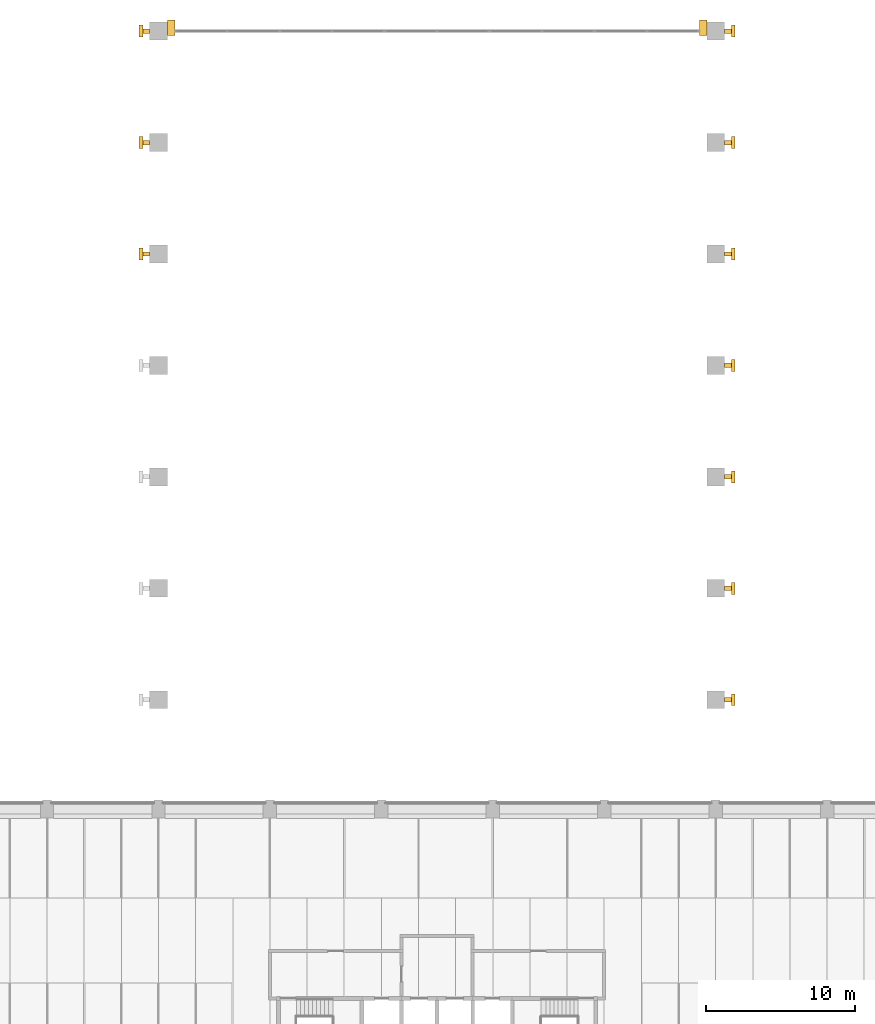
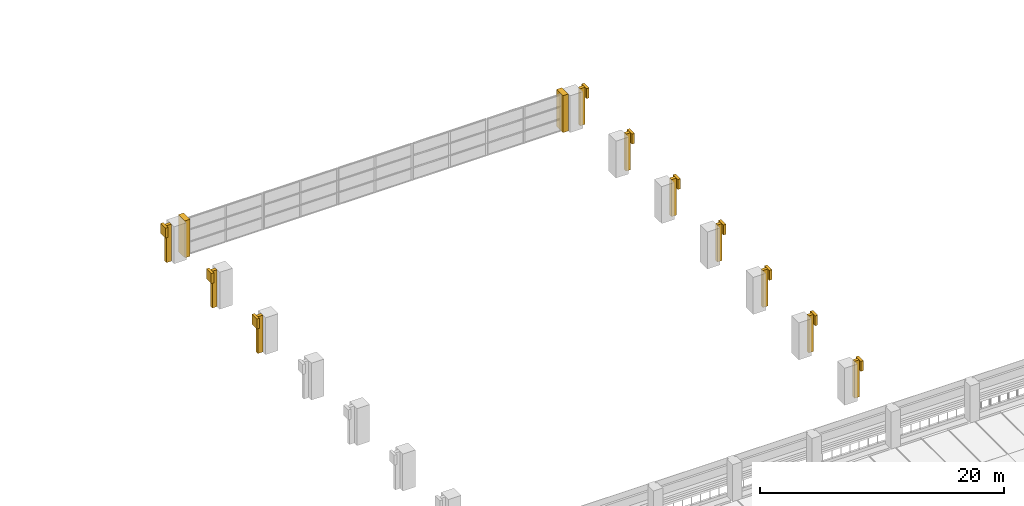
# One storey, part 46 of 57: 22 coverings.
"""IFC4 building model written with IfcOpenShell, lengths in metres."""

from ifc_helpers import new_model, si_unit, direction, frame, origin, place, context, subcontext, project, spatial, polyline, outline, extrude, material, layer, layer_set, type_object, element, save


model = new_model("IFC4")

# Units and contexts
model_context = context("Model", 3, precision=1e-05, world=origin(), true_north=direction((0.0, 1.0)))
body_context = subcontext(model_context, "Body", "Model", "MODEL_VIEW")
ifc_project = project(units=[si_unit("LENGTHUNIT", "METRE"), si_unit("AREAUNIT", "SQUARE_METRE"), si_unit("VOLUMEUNIT", "CUBIC_METRE"), si_unit("PLANEANGLEUNIT", "RADIAN"), si_unit("MASSUNIT", "GRAM", prefix="KILO")], contexts=[model_context])

# Site, building, storey
site_placement = place(None, origin())
site = spatial("IfcSite", under=ifc_project, at=site_placement, CompositionType="ELEMENT")
building_placement = place(site_placement, origin())
building = spatial("IfcBuilding", under=site, at=building_placement, Name="Cour d'Honneur Mobility Palace", CompositionType="ELEMENT")
storey_placement = place(building_placement, frame((0.0, 0.0, 8.199951171875)))
storey = spatial("IfcBuildingStorey", under=building, at=storey_placement, Name="L02", CompositionType="ELEMENT", Elevation=8.199951171875)

# Coverings
ifc_material_1 = material(Name="Cast limestone", Category="masonry")
ifc_layer_1 = layer(ifc_material_1, 0.300048828125)
ifc_layer_set_1 = layer_set([ifc_layer_1], Name="Cast limestone")
covering_type_1 = type_object("IfcCoveringType", Name="Pier fin", PredefinedType="CLADDING", material=ifc_layer_set_1)
covering_1_placement = place(storey_placement, origin())
element("IfcCovering", 1, at=covering_1_placement, inside=storey, type_object=covering_type_1, Name="Pier fin HP-E2 L02", PredefinedType="CLADDING", context=body_context, shape_type="SweptSolid", body=[
    extrude(outline(polyline([(100.5, 69.75), (100.949951171875, 69.75), (100.949951171875, 70.050048828125), (100.5, 70.050048828125), (100.5, 69.75)])), origin(), (0.0, 0.0, 1.0), 3.699951171875),
])
covering_2_placement = place(storey_placement, origin())
element("IfcCovering", 2, at=covering_2_placement, inside=storey, type_object=covering_type_1, Name="Pier fin HP-E3 L02", PredefinedType="CLADDING", context=body_context, shape_type="SweptSolid", body=[
    extrude(outline(polyline([(100.5, 77.25), (100.949951171875, 77.25), (100.949951171875, 77.550048828125), (100.5, 77.550048828125), (100.5, 77.25)])), origin(), (0.0, 0.0, 1.0), 3.699951171875),
])
covering_3_placement = place(storey_placement, origin())
element("IfcCovering", 3, at=covering_3_placement, inside=storey, type_object=covering_type_1, Name="Pier fin HP-E4 L02", PredefinedType="CLADDING", context=body_context, shape_type="SweptSolid", body=[
    extrude(outline(polyline([(100.5, 84.75), (100.949951171875, 84.75), (100.949951171875, 85.050048828125), (100.5, 85.050048828125), (100.5, 84.75)])), origin(), (0.0, 0.0, 1.0), 3.699951171875),
])
covering_4_placement = place(storey_placement, origin())
element("IfcCovering", 4, at=covering_4_placement, inside=storey, type_object=covering_type_1, Name="Pier fin HP-E5 L02", PredefinedType="CLADDING", context=body_context, shape_type="SweptSolid", body=[
    extrude(outline(polyline([(100.5, 92.25), (100.949951171875, 92.25), (100.949951171875, 92.550048828125), (100.5, 92.550048828125), (100.5, 92.25)])), origin(), (0.0, 0.0, 1.0), 3.699951171875),
])
covering_5_placement = place(storey_placement, origin())
element("IfcCovering", 5, at=covering_5_placement, inside=storey, type_object=covering_type_1, Name="Pier fin HP-W6 L02", PredefinedType="CLADDING", context=body_context, shape_type="SweptSolid", body=[
    extrude(outline(polyline([(61.35009765625, 99.75), (61.800048828125, 99.75), (61.800048828125, 100.050048828125), (61.35009765625, 100.050048828125), (61.35009765625, 99.75)])), origin(), (0.0, 0.0, 1.0), 3.699951171875),
])
covering_6_placement = place(storey_placement, origin())
element("IfcCovering", 6, at=covering_6_placement, inside=storey, type_object=covering_type_1, Name="Pier fin HP-E6 L02", PredefinedType="CLADDING", context=body_context, shape_type="SweptSolid", body=[
    extrude(outline(polyline([(100.5, 99.75), (100.949951171875, 99.75), (100.949951171875, 100.050048828125), (100.5, 100.050048828125), (100.5, 99.75)])), origin(), (0.0, 0.0, 1.0), 3.699951171875),
])
covering_7_placement = place(storey_placement, origin())
element("IfcCovering", 7, at=covering_7_placement, inside=storey, type_object=covering_type_1, Name="Pier fin HP-W7 L02", PredefinedType="CLADDING", context=body_context, shape_type="SweptSolid", body=[
    extrude(outline(polyline([(61.35009765625, 107.25), (61.800048828125, 107.25), (61.800048828125, 107.550048828125), (61.35009765625, 107.550048828125), (61.35009765625, 107.25)])), origin(), (0.0, 0.0, 1.0), 3.699951171875),
])
covering_8_placement = place(storey_placement, origin())
element("IfcCovering", 8, at=covering_8_placement, inside=storey, type_object=covering_type_1, Name="Pier fin HP-E7 L02", PredefinedType="CLADDING", context=body_context, shape_type="SweptSolid", body=[
    extrude(outline(polyline([(100.5, 107.25), (100.949951171875, 107.25), (100.949951171875, 107.550048828125), (100.5, 107.550048828125), (100.5, 107.25)])), origin(), (0.0, 0.0, 1.0), 3.699951171875),
])
covering_9_placement = place(storey_placement, origin())
element("IfcCovering", 9, at=covering_9_placement, inside=storey, type_object=covering_type_1, Name="Pier fin HP-W8 L02", PredefinedType="CLADDING", context=body_context, shape_type="SweptSolid", body=[
    extrude(outline(polyline([(61.35009765625, 114.75), (61.800048828125, 114.75), (61.800048828125, 115.050048828125), (61.35009765625, 115.050048828125), (61.35009765625, 114.75)])), origin(), (0.0, 0.0, 1.0), 3.699951171875),
])
covering_10_placement = place(storey_placement, origin())
element("IfcCovering", 10, at=covering_10_placement, inside=storey, type_object=covering_type_1, Name="Pier fin HP-E8 L02", PredefinedType="CLADDING", context=body_context, shape_type="SweptSolid", body=[
    extrude(outline(polyline([(100.5, 114.75), (100.949951171875, 114.75), (100.949951171875, 115.050048828125), (100.5, 115.050048828125), (100.5, 114.75)])), origin(), (0.0, 0.0, 1.0), 3.699951171875),
])
ifc_material_2 = material(Name="Cast limestone", Category="masonry")
ifc_layer_2 = layer(ifc_material_2, 0.1201171875)
ifc_layer_set_2 = layer_set([ifc_layer_2], Name="Cast limestone")
covering_type_2 = type_object("IfcCoveringType", Name="Pilaster capital", PredefinedType="CLADDING", material=ifc_layer_set_2)
covering_11_placement = place(storey_placement, frame((0.0, 0.0, 2.699951171875)))
element("IfcCovering", 11, at=covering_11_placement, inside=storey, type_object=covering_type_2, Name="Hall pilaster capital HP-E2", PredefinedType="CLADDING", context=body_context, shape_type="SweptSolid", body=[
    extrude(outline(polyline([(100.949951171875, 69.5), (101.199951171875, 69.5), (101.199951171875, 70.300048828125), (100.949951171875, 70.300048828125), (100.949951171875, 69.5)])), origin(), (0.0, 0.0, 1.0), 1.0),
])
covering_12_placement = place(storey_placement, frame((0.0, 0.0, 2.699951171875)))
element("IfcCovering", 12, at=covering_12_placement, inside=storey, type_object=covering_type_2, Name="Hall pilaster capital HP-E3", PredefinedType="CLADDING", context=body_context, shape_type="SweptSolid", body=[
    extrude(outline(polyline([(100.949951171875, 77.0), (101.199951171875, 77.0), (101.199951171875, 77.800048828125), (100.949951171875, 77.800048828125), (100.949951171875, 77.0)])), origin(), (0.0, 0.0, 1.0), 1.0),
])
covering_13_placement = place(storey_placement, frame((0.0, 0.0, 2.699951171875)))
element("IfcCovering", 13, at=covering_13_placement, inside=storey, type_object=covering_type_2, Name="Hall pilaster capital HP-E4", PredefinedType="CLADDING", context=body_context, shape_type="SweptSolid", body=[
    extrude(outline(polyline([(100.949951171875, 84.5), (101.199951171875, 84.5), (101.199951171875, 85.300048828125), (100.949951171875, 85.300048828125), (100.949951171875, 84.5)])), origin(), (0.0, 0.0, 1.0), 1.0),
])
covering_14_placement = place(storey_placement, frame((0.0, 0.0, 2.699951171875)))
element("IfcCovering", 14, at=covering_14_placement, inside=storey, type_object=covering_type_2, Name="Hall pilaster capital HP-E5", PredefinedType="CLADDING", context=body_context, shape_type="SweptSolid", body=[
    extrude(outline(polyline([(100.949951171875, 92.0), (101.199951171875, 92.0), (101.199951171875, 92.800048828125), (100.949951171875, 92.800048828125), (100.949951171875, 92.0)])), origin(), (0.0, 0.0, 1.0), 1.0),
])
covering_15_placement = place(storey_placement, frame((0.0, 0.0, 2.699951171875)))
element("IfcCovering", 15, at=covering_15_placement, inside=storey, type_object=covering_type_2, Name="Hall pilaster capital HP-W6", PredefinedType="CLADDING", context=body_context, shape_type="SweptSolid", body=[
    extrude(outline(polyline([(61.10009765625, 99.5), (61.35009765625, 99.5), (61.35009765625, 100.300048828125), (61.10009765625, 100.300048828125), (61.10009765625, 99.5)])), origin(), (0.0, 0.0, 1.0), 1.0),
])
covering_16_placement = place(storey_placement, frame((0.0, 0.0, 2.699951171875)))
element("IfcCovering", 16, at=covering_16_placement, inside=storey, type_object=covering_type_2, Name="Hall pilaster capital HP-E6", PredefinedType="CLADDING", context=body_context, shape_type="SweptSolid", body=[
    extrude(outline(polyline([(100.949951171875, 99.5), (101.199951171875, 99.5), (101.199951171875, 100.300048828125), (100.949951171875, 100.300048828125), (100.949951171875, 99.5)])), origin(), (0.0, 0.0, 1.0), 1.0),
])
covering_17_placement = place(storey_placement, frame((0.0, 0.0, 2.699951171875)))
element("IfcCovering", 17, at=covering_17_placement, inside=storey, type_object=covering_type_2, Name="Hall pilaster capital HP-W7", PredefinedType="CLADDING", context=body_context, shape_type="SweptSolid", body=[
    extrude(outline(polyline([(61.10009765625, 107.0), (61.35009765625, 107.0), (61.35009765625, 107.800048828125), (61.10009765625, 107.800048828125), (61.10009765625, 107.0)])), origin(), (0.0, 0.0, 1.0), 1.0),
])
covering_18_placement = place(storey_placement, frame((0.0, 0.0, 2.699951171875)))
element("IfcCovering", 18, at=covering_18_placement, inside=storey, type_object=covering_type_2, Name="Hall pilaster capital HP-E7", PredefinedType="CLADDING", context=body_context, shape_type="SweptSolid", body=[
    extrude(outline(polyline([(100.949951171875, 107.0), (101.199951171875, 107.0), (101.199951171875, 107.800048828125), (100.949951171875, 107.800048828125), (100.949951171875, 107.0)])), origin(), (0.0, 0.0, 1.0), 1.0),
])
covering_19_placement = place(storey_placement, frame((0.0, 0.0, 2.699951171875)))
element("IfcCovering", 19, at=covering_19_placement, inside=storey, type_object=covering_type_2, Name="Hall pilaster capital HP-W8", PredefinedType="CLADDING", context=body_context, shape_type="SweptSolid", body=[
    extrude(outline(polyline([(61.10009765625, 114.5), (61.35009765625, 114.5), (61.35009765625, 115.300048828125), (61.10009765625, 115.300048828125), (61.10009765625, 114.5)])), origin(), (0.0, 0.0, 1.0), 1.0),
])
covering_20_placement = place(storey_placement, frame((0.0, 0.0, 2.699951171875)))
element("IfcCovering", 20, at=covering_20_placement, inside=storey, type_object=covering_type_2, Name="Hall pilaster capital HP-E8", PredefinedType="CLADDING", context=body_context, shape_type="SweptSolid", body=[
    extrude(outline(polyline([(100.949951171875, 114.5), (101.199951171875, 114.5), (101.199951171875, 115.300048828125), (100.949951171875, 115.300048828125), (100.949951171875, 114.5)])), origin(), (0.0, 0.0, 1.0), 1.0),
])
ifc_material_3 = material(Name="Cast limestone", Category="masonry")
ifc_layer_3 = layer(ifc_material_3, 0.75)
ifc_layer_set_3 = layer_set([ifc_layer_3], Name="Cast limestone")
covering_type_3 = type_object("IfcCoveringType", Name="Portal architrave", PredefinedType="CLADDING", material=ifc_layer_set_3)
covering_21_placement = place(storey_placement, origin())
element("IfcCovering", 21, at=covering_21_placement, inside=storey, type_object=covering_type_3, Name="Portal jamb L02", PredefinedType="CLADDING", context=body_context, shape_type="SweptSolid", body=[
    extrude(outline(polyline([(63.0, 114.60009765625), (63.5, 114.60009765625), (63.5, 115.64990234375), (63.0, 115.64990234375), (63.0, 114.60009765625)])), origin(), (0.0, 0.0, 1.0), 3.699951171875),
])
covering_22_placement = place(storey_placement, origin())
element("IfcCovering", 22, at=covering_22_placement, inside=storey, type_object=covering_type_3, Name="Portal jamb L02", PredefinedType="CLADDING", context=body_context, shape_type="SweptSolid", body=[
    extrude(outline(polyline([(98.800048828125, 114.60009765625), (99.300048828125, 114.60009765625), (99.300048828125, 115.64990234375), (98.800048828125, 115.64990234375), (98.800048828125, 114.60009765625)])), origin(), (0.0, 0.0, 1.0), 3.699951171875),
])

save(model, "model.ifc")
